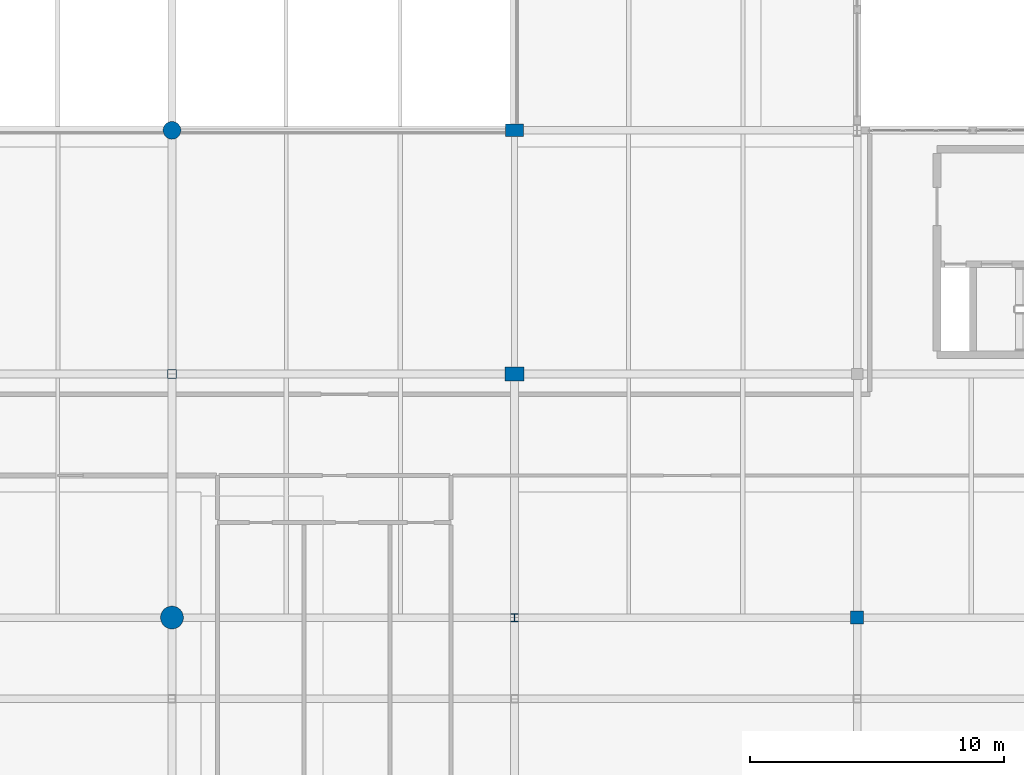
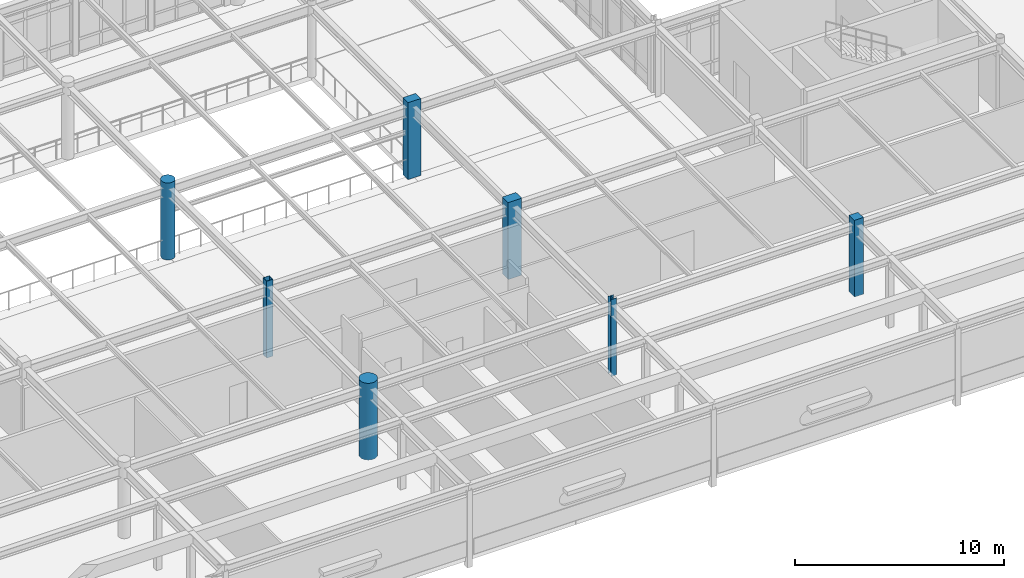
# One storey, part 3 of 61: 7 columns.
"""IFC4 building model written with IfcOpenShell, lengths in metres."""

from ifc_helpers import new_model, si_unit, direction, frame, origin, origin_2d, place, context, subcontext, project, spatial, rectangle, hollow_rectangle, circle, i_section, extrude, material, material_profile, profile_set, type_object, element, save


model = new_model("IFC4")

# Units and contexts
model_context = context("Model", 3, precision=1e-05, world=origin(), true_north=direction((0.0, 1.0)))
body_context = subcontext(model_context, "Body", "Model", "MODEL_VIEW")
ifc_project = project(units=[si_unit("LENGTHUNIT", "METRE"), si_unit("AREAUNIT", "SQUARE_METRE"), si_unit("VOLUMEUNIT", "CUBIC_METRE"), si_unit("PLANEANGLEUNIT", "RADIAN"), si_unit("MASSUNIT", "GRAM", prefix="KILO")], contexts=[model_context])

# Site, building, storey
site_placement = place(None, origin())
site = spatial("IfcSite", under=ifc_project, at=site_placement, CompositionType="ELEMENT")
building_placement = place(site_placement, origin())
building = spatial("IfcBuilding", under=site, at=building_placement, Name="Fikremerkos Civic Library", CompositionType="ELEMENT")
storey_placement = place(building_placement, frame((0.0, 0.0, 14.39990234375)))
storey = spatial("IfcBuildingStorey", under=building, at=storey_placement, Name="L03", CompositionType="ELEMENT", Elevation=14.39990234375)

# Columns
ifc_material_1 = material(Name="Concrete C40/50", Category="concrete")
ifc_material_profile_1 = material_profile(ifc_material_1, rectangle(XDim=0.5, YDim=0.5, at=origin_2d()), Name="RC 500x500")
ifc_profile_set_1 = profile_set([ifc_material_profile_1], Name="Concrete C40/50")
column_type_1 = type_object("IfcColumnType", Name="Structural column COL-11 RC 500x500", PredefinedType="COLUMN", material=ifc_profile_set_1)
column_1_placement = place(storey_placement, frame((100.199951171875, 12.0, 0.0), z_axis=(0.0, 0.0, 1.0), x_axis=(1.0, 0.0, 0.0)))
element("IfcColumn", 1, at=column_1_placement, inside=storey, type_object=column_type_1, Name="Column COL-11 L03 9/E", PredefinedType="COLUMN", context=body_context, shape_type="SweptSolid", body=[
    extrude(rectangle(XDim=0.5, YDim=0.5, at=origin_2d()), origin(), (0.0, 0.0, 1.0), 4.5),
])
ifc_material_profile_2 = material_profile(ifc_material_1, rectangle(XDim=0.75, YDim=0.550048828125, at=origin_2d()), Name="RC 750x550")
ifc_profile_set_2 = profile_set([ifc_material_profile_2], Name="Concrete C40/50")
column_type_2 = type_object("IfcColumnType", Name="Structural column COL-15 RC 750x550", PredefinedType="COLUMN", material=ifc_profile_set_2)
column_2_placement = place(storey_placement, frame((86.699951171875, 21.60009765625, 0.0), z_axis=(0.0, 0.0, 1.0), x_axis=(1.0, 0.0, 0.0)))
element("IfcColumn", 2, at=column_2_placement, inside=storey, type_object=column_type_2, Name="Column COL-15 L03 8/F", PredefinedType="COLUMN", context=body_context, shape_type="SweptSolid", body=[
    extrude(rectangle(XDim=0.75, YDim=0.550048828125, at=origin_2d()), origin(), (0.0, 0.0, 1.0), 4.5),
])
ifc_material_profile_3 = material_profile(ifc_material_1, rectangle(XDim=0.699951171875, YDim=0.5, at=origin_2d()), Name="RC 700x500")
ifc_profile_set_3 = profile_set([ifc_material_profile_3], Name="Concrete C40/50")
column_type_3 = type_object("IfcColumnType", Name="Structural column COL-16 RC 700x500", PredefinedType="COLUMN", material=ifc_profile_set_3)
column_3_placement = place(storey_placement, frame((86.699951171875, 31.199951171875, 0.0), z_axis=(0.0, 0.0, 1.0), x_axis=(1.0, 0.0, 0.0)))
element("IfcColumn", 3, at=column_3_placement, inside=storey, type_object=column_type_3, Name="Column COL-16 L03 8/G", PredefinedType="COLUMN", context=body_context, shape_type="SweptSolid", body=[
    extrude(rectangle(XDim=0.699951171875, YDim=0.5, at=origin_2d()), origin(), (0.0, 0.0, 1.0), 4.5),
])
ifc_material_2 = material(Name="Concrete C45/55", Category="concrete")
ifc_material_profile_4 = material_profile(ifc_material_2, circle(Radius=0.449951171875, at=origin_2d()), Name="RC D900")
ifc_profile_set_4 = profile_set([ifc_material_profile_4], Name="Concrete C45/55")
column_type_4 = type_object("IfcColumnType", Name="Structural column COL-17 RC D900", PredefinedType="COLUMN", material=ifc_profile_set_4)
column_4_placement = place(storey_placement, frame((73.199951171875, 12.0, 0.0), z_axis=(0.0, 0.0, 1.0), x_axis=(1.0, 0.0, 0.0)))
element("IfcColumn", 4, at=column_4_placement, inside=storey, type_object=column_type_4, Name="Column COL-17 L03 7/E", PredefinedType="COLUMN", context=body_context, shape_type="SweptSolid", body=[
    extrude(circle(Radius=0.449951171875, at=origin_2d()), origin(), (0.0, 0.0, 1.0), 4.5),
])
ifc_material_profile_5 = material_profile(ifc_material_1, circle(Radius=0.35009765625, at=origin_2d()), Name="RC D700")
ifc_profile_set_5 = profile_set([ifc_material_profile_5], Name="Concrete C40/50")
column_type_5 = type_object("IfcColumnType", Name="Structural column COL-19 RC D700", PredefinedType="COLUMN", material=ifc_profile_set_5)
column_5_placement = place(storey_placement, frame((73.199951171875, 31.199951171875, 0.0), z_axis=(0.0, 0.0, 1.0), x_axis=(1.0, 0.0, 0.0)))
element("IfcColumn", 5, at=column_5_placement, inside=storey, type_object=column_type_5, Name="Column COL-19 L03 7/G", PredefinedType="COLUMN", context=body_context, shape_type="SweptSolid", body=[
    extrude(circle(Radius=0.35009765625, at=origin_2d()), origin(), (0.0, 0.0, 1.0), 4.5),
])
ifc_material_3 = material(Name="Steel S355", Category="steel")
ifc_material_profile_6 = material_profile(ifc_material_3, i_section(OverallWidth=0.300048828125, OverallDepth=0.320068359375, WebThickness=0.011474609375, FlangeThickness=0.0205078125, FilletRadius=0.027099609375, at=origin_2d()), Name="HEB 320")
ifc_profile_set_6 = profile_set([ifc_material_profile_6], Name="Steel S355")
column_type_6 = type_object("IfcColumnType", Name="Structural column COL-26 HEB 320", PredefinedType="COLUMN", material=ifc_profile_set_6)
column_6_placement = place(storey_placement, frame((86.699951171875, 12.0, 0.0), z_axis=(0.0, 0.0, 1.0), x_axis=(1.0, 0.0, 0.0)))
element("IfcColumn", 6, at=column_6_placement, inside=storey, type_object=column_type_6, Name="Column COL-26 L03 8/E", PredefinedType="COLUMN", context=body_context, shape_type="SweptSolid", body=[
    extrude(i_section(OverallWidth=0.300048828125, OverallDepth=0.320068359375, WebThickness=0.011474609375, FlangeThickness=0.0205078125, FilletRadius=0.027099609375, at=origin_2d()), origin(), (0.0, 0.0, 1.0), 4.5),
])
ifc_material_profile_7 = material_profile(ifc_material_3, hollow_rectangle(XDim=0.35009765625, YDim=0.35009765625, WallThickness=0.01611328125, at=origin_2d()), Name="SHS 350x350x16")
ifc_profile_set_7 = profile_set([ifc_material_profile_7], Name="Steel S355")
column_type_7 = type_object("IfcColumnType", Name="Structural column COL-32 SHS 350x350x16", PredefinedType="COLUMN", material=ifc_profile_set_7)
column_7_placement = place(storey_placement, frame((73.199951171875, 21.60009765625, 0.0), z_axis=(0.0, 0.0, 1.0), x_axis=(1.0, 0.0, 0.0)))
element("IfcColumn", 7, at=column_7_placement, inside=storey, type_object=column_type_7, Name="Column COL-32 L03 7/F", PredefinedType="COLUMN", context=body_context, shape_type="SweptSolid", body=[
    extrude(hollow_rectangle(XDim=0.35009765625, YDim=0.35009765625, WallThickness=0.01611328125, at=origin_2d()), origin(), (0.0, 0.0, 1.0), 4.5),
])

save(model, "model.ifc")
